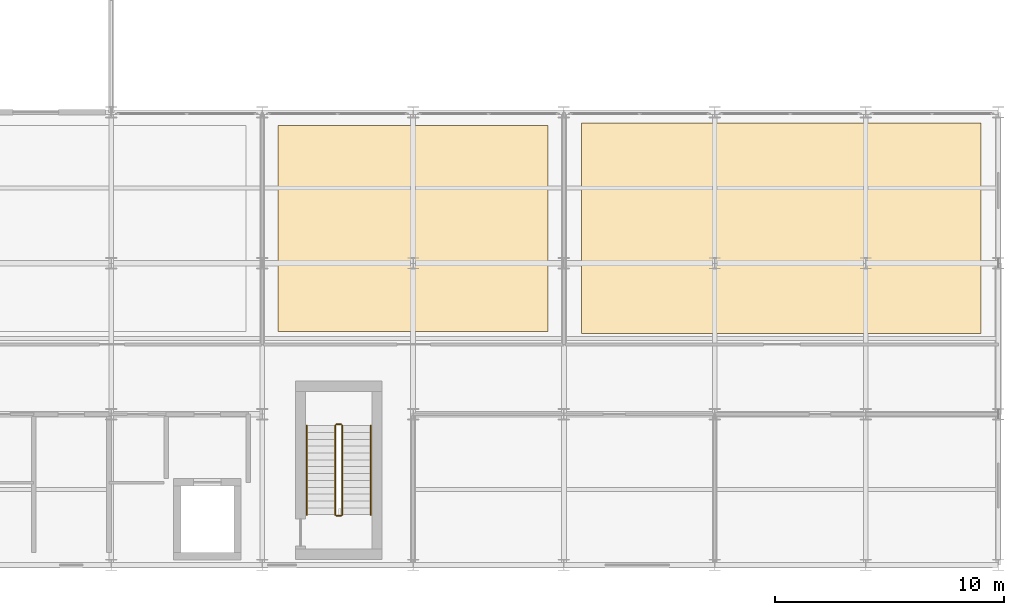
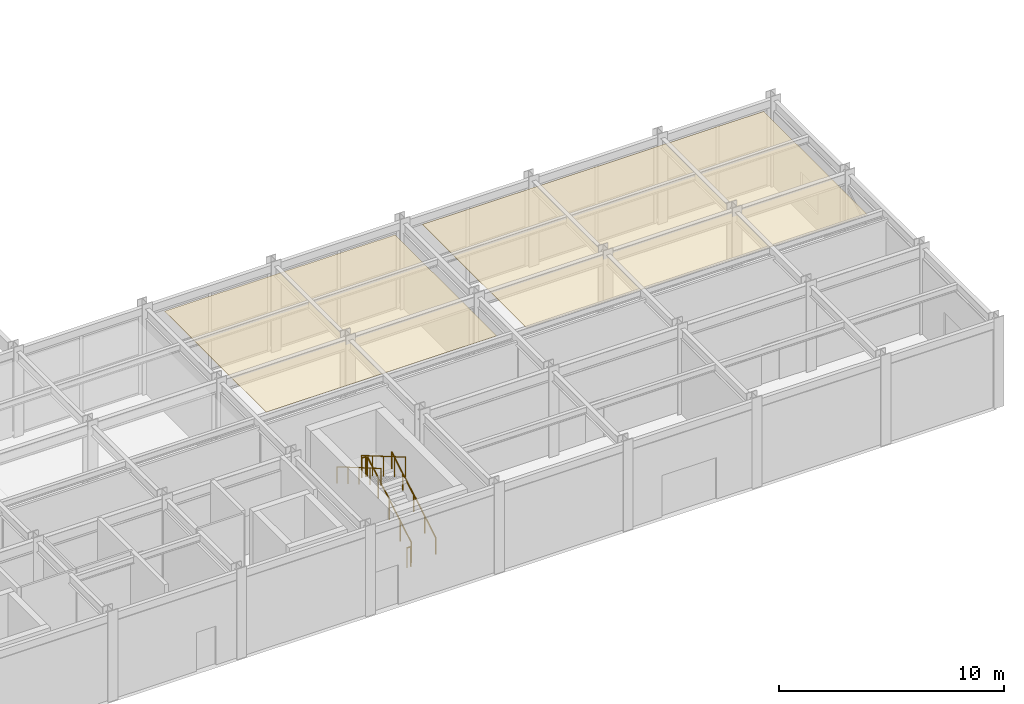
# One storey, part 143 of 144: 6 railings, 2 coverings.
"""IFC4 building model written with IfcOpenShell, lengths in metres."""

import ifcopenshell
import ifcopenshell.guid

model = None  # the IFC model being written
_history = None  # IfcOwnerHistory: only IFC2X3 demands one
_inside = {}  # id of a spatial element -> (the spatial element, [elements in it])
_under = {}  # id of a project, library or spatial element -> (it, [spatial elements below it])
_declared = {}  # id of a project -> (the project, [libraries it declares])
_typed = {}  # id of a type object -> (the type object, [elements of that type])
_made_of = {}  # id of a material, layer set ... -> (it, [elements and type objects made of it])


def new_model(schema):
    """Start an empty IFC model of exactly this schema.

    Asked for "IFC4X3", IfcOpenShell would pick the latest addendum, in which some entities
    have other attributes; the version numbers below select the first issue.
    IFC2X3 requires an IfcOwnerHistory on every rooted entity: one is made here for all.
    """
    global model, _history
    if schema == "IFC4X3":
        model = ifcopenshell.file(schema_version=(4, 3, 0, 0))
    else:
        model = ifcopenshell.file(schema=schema)
    _inside.clear()
    _under.clear()
    _declared.clear()
    _typed.clear()
    _made_of.clear()
    _history = None
    if model.schema == "IFC2X3":
        org = make("IfcOrganization", Name="unknown")
        user = make(
            "IfcPersonAndOrganization",
            ThePerson=make("IfcPerson", FamilyName="unknown"),
            TheOrganization=org,
        )
        app = make(
            "IfcApplication",
            ApplicationDeveloper=org,
            Version="unknown",
            ApplicationFullName="unknown",
            ApplicationIdentifier="unknown",
        )
        _history = make(
            "IfcOwnerHistory",
            OwningUser=user,
            OwningApplication=app,
            ChangeAction="ADDED",
            CreationDate=0,
        )
    return model


def make(cls, **values):
    """One entity of the class cls with the attributes given. An attribute that is None is left unset."""
    return model.create_entity(
        cls, **{name: value for name, value in values.items() if value is not None}
    )


def rooted(cls, **values):
    """An entity with a GlobalId (a new one), such as an element, a storey or a relation."""
    return make(cls, GlobalId=ifcopenshell.guid.new(), OwnerHistory=_history, **values)


def si_unit(unit_type, name, prefix=None):
    """IfcSIUnit, for example si_unit("LENGTHUNIT", "METRE", prefix="MILLI")."""
    return make("IfcSIUnit", UnitType=unit_type, Prefix=prefix, Name=name)


def assignment(units):
    """IfcUnitAssignment: the units of a project."""
    return None if units is None else make("IfcUnitAssignment", Units=units)


def point(xyz):
    """IfcCartesianPoint."""
    return None if xyz is None else make("IfcCartesianPoint", Coordinates=xyz)


def direction(xyz):
    """IfcDirection."""
    return None if xyz is None else make("IfcDirection", DirectionRatios=xyz)


def frame(location, z_axis=None, x_axis=None):
    """IfcAxis2Placement3D, a coordinate frame: its origin and axes. An axis left out is left unset."""
    return make(
        "IfcAxis2Placement3D",
        Location=point(location),
        Axis=direction(z_axis),
        RefDirection=direction(x_axis),
    )


def frame_2d(location, x_axis=None):
    """IfcAxis2Placement2D, a coordinate frame in the plane: its origin and x axis."""
    return make(
        "IfcAxis2Placement2D", Location=point(location), RefDirection=direction(x_axis)
    )


def origin():
    """The frame at (0, 0, 0) with its axes left unset."""
    return frame((0.0, 0.0, 0.0))


def origin_2d():
    """The frame at (0, 0) in the plane with its x axis left unset."""
    return frame_2d((0.0, 0.0))


def place(relative_to, where):
    """IfcLocalPlacement: puts the frame where relative to a parent placement (None: the world)."""
    return make(
        "IfcLocalPlacement", PlacementRelTo=relative_to, RelativePlacement=where
    )


def context(
    kind, dimensions, precision=None, world=None, true_north=None, identifier=None
):
    """IfcGeometricRepresentationContext, for example the 3D "Model" context."""
    return make(
        "IfcGeometricRepresentationContext",
        ContextIdentifier=identifier,
        ContextType=kind,
        CoordinateSpaceDimension=dimensions,
        Precision=precision,
        WorldCoordinateSystem=world,
        TrueNorth=true_north,
    )


def subcontext(parent, identifier, kind, view, scale=None):
    """IfcGeometricRepresentationSubContext, for example "Body" below "Model"."""
    return make(
        "IfcGeometricRepresentationSubContext",
        ContextIdentifier=identifier,
        ContextType=kind,
        ParentContext=parent,
        TargetScale=scale,
        TargetView=view,
    )


def project(units=None, contexts=None):
    """IfcProject with its units and contexts."""
    return rooted(
        "IfcProject",
        Name="project",
        RepresentationContexts=contexts,
        UnitsInContext=assignment(units),
    )


def spatial(cls, under=None, at=None, **own):
    """A site, building, storey or space (cls), placed at a placement, below another one or the project."""
    s = rooted(cls, ObjectPlacement=at, **own)
    if under is not None:
        _under.setdefault(under.id(), (under, []))[1].append(s)
    return s


def polyline(points):
    """IfcPolyline through the points."""
    return make("IfcPolyline", Points=[point(p) for p in points])


def profile(cls, at=None, kind="AREA", **sizes):
    """A parametric profile (cls). Its sizes go by their IFC names, for example OverallWidth=200.0."""
    return make(cls, ProfileType=kind, Position=at, **sizes)


def circle(**sizes):
    """IfcCircleProfileDef."""
    return profile("IfcCircleProfileDef", **sizes)


def outline(outer, holes=None, kind="AREA"):
    """IfcArbitraryClosedProfileDef: a profile drawn as a closed curve; with holes, ...WithVoids."""
    if holes is None:
        return make("IfcArbitraryClosedProfileDef", ProfileType=kind, OuterCurve=outer)
    return make(
        "IfcArbitraryProfileDefWithVoids",
        ProfileType=kind,
        OuterCurve=outer,
        InnerCurves=holes,
    )


def extrude(swept, where, along, depth):
    """IfcExtrudedAreaSolid: the profile swept, set in the frame where, extruded along a direction by depth."""
    return make(
        "IfcExtrudedAreaSolid",
        SweptArea=swept,
        Position=where,
        ExtrudedDirection=direction(along),
        Depth=depth,
    )


def shape(context_of_items, identifier, shape_type, items):
    """IfcShapeRepresentation: the items that make up one representation, for example the "Body"."""
    return make(
        "IfcShapeRepresentation",
        ContextOfItems=context_of_items,
        RepresentationIdentifier=identifier,
        RepresentationType=shape_type,
        Items=items,
    )


def material(Name=None, Category=None):
    """IfcMaterial."""
    return make("IfcMaterial", Name=Name, Category=Category)


def layer(
    of_material, thickness, ventilated=None, Name=None, Category=None, Priority=None
):
    """IfcMaterialLayer: one layer of a wall or slab, of a material (None: an air gap)."""
    return make(
        "IfcMaterialLayer",
        Material=of_material,
        LayerThickness=thickness,
        IsVentilated=ventilated,
        Name=Name,
        Category=Category,
        Priority=Priority,
    )


def layer_set(layers, Name=None):
    """IfcMaterialLayerSet."""
    return make("IfcMaterialLayerSet", MaterialLayers=layers, LayerSetName=Name)


def made_of(thing, what):
    """Note that an element or type object is made of a material, layer set ...; save() writes the relation."""
    if what is not None:
        _made_of.setdefault(what.id(), (what, []))[1].append(thing)
    return thing


def type_object(cls, material=None, **own):
    """A type object (cls), such as IfcWallType, which elements share."""
    return made_of(rooted(cls, **own), material)


def element(
    cls,
    number,
    at=None,
    inside=None,
    cuts=None,
    type_object=None,
    material=None,
    context=None,
    identifier="Body",
    shape_type=None,
    held_by="IfcProductDefinitionShape",
    body=None,
    shapes=None,
    **own,
):
    """One element of the class cls, such as IfcWall. Its Tag is "e" and its number.

    at: its placement. inside: the storey or other place that contains it. cuts: it is an
    opening in that element (IfcRelVoidsElement). A single representation is given by context,
    identifier, shape_type and body (its items); several are given by shapes. held_by: the class
    of the entity that holds the representations. save() writes the other relations.
    """
    e = rooted(cls, Tag="e%d" % number, ObjectPlacement=at, **own)
    if body is not None:
        shapes = [shape(context, identifier, shape_type, body)]
    if shapes is not None:
        e.Representation = make(held_by, Representations=shapes)
    if inside is not None:
        _inside.setdefault(inside.id(), (inside, []))[1].append(e)
    if cuts is not None:
        rooted(
            "IfcRelVoidsElement", RelatingBuildingElement=cuts, RelatedOpeningElement=e
        )
    if type_object is not None:
        _typed.setdefault(type_object.id(), (type_object, []))[1].append(e)
    return made_of(e, material)


def aggregate(whole, parts):
    """IfcRelAggregates: a whole, such as a stair, and the parts it consists of."""
    return rooted("IfcRelAggregates", RelatingObject=whole, RelatedObjects=parts)


def save(model, path):
    """Write the relations noted so far, then the file.

    IfcRelAggregates (storeys below a building ...), IfcRelContainedInSpatialStructure (elements
    in a storey), IfcRelDefinesByType, IfcRelAssociatesMaterial and IfcRelDeclares: one each for
    every whole, place, type object, material and project.
    """
    for whole, parts in _under.values():
        aggregate(whole, parts)
    for where, things in _inside.values():
        rooted(
            "IfcRelContainedInSpatialStructure",
            RelatedElements=things,
            RelatingStructure=where,
        )
    for kind, things in _typed.values():
        rooted("IfcRelDefinesByType", RelatedObjects=things, RelatingType=kind)
    for what, things in _made_of.values():
        rooted("IfcRelAssociatesMaterial", RelatedObjects=things, RelatingMaterial=what)
    for by, libraries in _declared.values():
        rooted("IfcRelDeclares", RelatingContext=by, RelatedDefinitions=libraries)
    model.write(path)


model = new_model("IFC4")

# Units and contexts
model_context = context("Model", 3, precision=1e-05, world=origin(), true_north=direction((0.0, 1.0)))
body_context = subcontext(model_context, "Body", "Model", "MODEL_VIEW")
ifc_project = project(units=[si_unit("LENGTHUNIT", "METRE"), si_unit("AREAUNIT", "SQUARE_METRE"), si_unit("VOLUMEUNIT", "CUBIC_METRE"), si_unit("PLANEANGLEUNIT", "RADIAN"), si_unit("MASSUNIT", "GRAM", prefix="KILO")], contexts=[model_context])

# Site, building, storey
site_placement = place(None, origin())
site = spatial("IfcSite", under=ifc_project, at=site_placement, CompositionType="ELEMENT")
building_placement = place(site_placement, origin())
building = spatial("IfcBuilding", under=site, at=building_placement, Name="Karori Crest Natural Sciences Institute", CompositionType="ELEMENT")
storey_placement = place(building_placement, origin())
storey = spatial("IfcBuildingStorey", under=building, at=storey_placement, Name="L00", CompositionType="ELEMENT", Elevation=0.0)

# Coverings
ifc_material_1 = material(Name="Acoustic mineral fibre ceiling tile")
ifc_layer = layer(ifc_material_1, 0.02490234375, Name="Acoustic mineral fibre ceiling tile")
ifc_layer_set = layer_set([ifc_layer], Name="Acoustic mineral fibre ceiling tile")
covering_type = type_object("IfcCoveringType", Name="CVT-CEIL", PredefinedType="CEILING", material=ifc_layer_set)
covering_1_placement = place(storey_placement, frame((0.0, 0.0, 4.405029296875)))
element("IfcCovering", 1, at=covering_1_placement, inside=storey, type_object=covering_type, Name="Acoustic ceiling CLG-0003", PredefinedType="CEILING", context=body_context, shape_type="SweptSolid", body=[
    extrude(outline(polyline([(130.6962890625, 20.03515625), (130.6962890625, 11.014892578125), (142.503662109375, 11.014892578125), (142.503662109375, 20.03515625), (130.6962890625, 20.03515625)])), origin(), (0.0, 0.0, 1.0), 0.02490234375),
])
covering_2_placement = place(storey_placement, frame((0.0, 0.0, 4.405029296875)))
element("IfcCovering", 2, at=covering_2_placement, inside=storey, type_object=covering_type, Name="Acoustic ceiling CLG-0004", PredefinedType="CEILING", context=body_context, shape_type="SweptSolid", body=[
    extrude(outline(polyline([(143.959228515625, 20.133544921875), (143.959228515625, 10.91650390625), (161.44091796875, 10.91650390625), (161.44091796875, 20.133544921875), (143.959228515625, 20.133544921875)])), origin(), (0.0, 0.0, 1.0), 0.02490234375),
])

# Railings
ifc_material_2 = material(Name="Stainless steel 316 tubular handrail", Category="steel")
railing_type_1 = type_object("IfcRailingType", Name="RLT-HND", PredefinedType="HANDRAIL", material=ifc_material_2)
railing_1_placement = place(storey_placement, frame((134.75, 3.0, 0.175048828125)))
element("IfcRailing", 3, at=railing_1_placement, inside=storey, type_object=railing_type_1, Name="Stair handrail RL-0170", PredefinedType="HANDRAIL", context=body_context, shape_type="SweptSolid", body=[
    extrude(circle(Radius=0.02392578125, at=origin_2d()), frame((0.0, 0.0, 0.90087890625), z_axis=(0.0, 0.86378282336, 0.503864301244), x_axis=(-1.0, 0.0, 0.0)), (0.0, 0.0, 1.0), 4.514892578125),
    extrude(circle(Radius=0.02099609375, at=origin_2d()), origin(), (0.0, 0.0, 1.0), 0.876953125),
    extrude(circle(Radius=0.02099609375, at=origin_2d()), frame((0.0, 0.97509765625, 0.56884765625)), (0.0, 0.0, 1.0), 0.876953125),
    extrude(circle(Radius=0.02099609375, at=origin_2d()), frame((0.0, 1.949951171875, 1.137451171875)), (0.0, 0.0, 1.0), 0.876953125),
    extrude(circle(Radius=0.02099609375, at=origin_2d()), frame((0.0, 2.9248046875, 1.7060546875)), (0.0, 0.0, 1.0), 0.876953125),
    extrude(circle(Radius=0.02099609375, at=origin_2d()), frame((0.0, 3.89990234375, 2.27490234375)), (0.0, 0.0, 1.0), 0.876953125),
])
railing_2_placement = place(storey_placement, frame((131.949951171875, 6.89990234375, 2.625)))
element("IfcRailing", 4, at=railing_2_placement, inside=storey, type_object=railing_type_1, Name="Stair handrail RL-0171", PredefinedType="HANDRAIL", context=body_context, shape_type="SweptSolid", body=[
    extrude(circle(Radius=0.02392578125, at=origin_2d()), frame((0.0, 0.0, 0.90087890625), z_axis=(0.0, -0.86378282336, 0.503864301244), x_axis=(1.0, 0.0, 0.0)), (0.0, 0.0, 1.0), 4.514892578125),
    extrude(circle(Radius=0.02099609375, at=origin_2d()), origin(), (0.0, 0.0, 1.0), 0.876953125),
    extrude(circle(Radius=0.02099609375, at=origin_2d()), frame((0.0, -0.97509765625, 0.56884765625)), (0.0, 0.0, 1.0), 0.876953125),
    extrude(circle(Radius=0.02099609375, at=origin_2d()), frame((0.0, -1.949951171875, 1.137451171875)), (0.0, 0.0, 1.0), 0.876953125),
    extrude(circle(Radius=0.02099609375, at=origin_2d()), frame((0.0, -2.9248046875, 1.7060546875)), (0.0, 0.0, 1.0), 0.876953125),
    extrude(circle(Radius=0.02099609375, at=origin_2d()), frame((0.0, -3.89990234375, 2.27490234375)), (0.0, 0.0, 1.0), 0.876953125),
])
ifc_material_3 = material(Name="Stainless steel 316 stair guard", Category="steel")
railing_type_2 = type_object("IfcRailingType", Name="RLT-STG", PredefinedType="GUARDRAIL", material=ifc_material_3)
railing_3_placement = place(storey_placement, frame((133.5, 3.0, 0.175048828125)))
element("IfcRailing", 5, at=railing_3_placement, inside=storey, type_object=railing_type_2, Name="Stair guard RL-0166", PredefinedType="GUARDRAIL", context=body_context, shape_type="SweptSolid", body=[
    extrude(circle(Radius=0.02392578125, at=origin_2d()), frame((0.0, 0.0, 1.076171875), z_axis=(0.0, 0.86378282336, 0.503864301244), x_axis=(-1.0, 0.0, 0.0)), (0.0, 0.0, 1.0), 4.514892578125),
    extrude(circle(Radius=0.02099609375, at=origin_2d()), origin(), (0.0, 0.0, 1.0), 1.052001953125),
    extrude(circle(Radius=0.02099609375, at=origin_2d()), frame((0.0, 0.97509765625, 0.56884765625)), (0.0, 0.0, 1.0), 1.052001953125),
    extrude(circle(Radius=0.02099609375, at=origin_2d()), frame((0.0, 1.949951171875, 1.137451171875)), (0.0, 0.0, 1.0), 1.052001953125),
    extrude(circle(Radius=0.02099609375, at=origin_2d()), frame((0.0, 2.9248046875, 1.7060546875)), (0.0, 0.0, 1.0), 1.052001953125),
    extrude(circle(Radius=0.02099609375, at=origin_2d()), frame((0.0, 3.89990234375, 2.27490234375)), (0.0, 0.0, 1.0), 1.052001953125),
])
railing_4_placement = place(storey_placement, frame((133.449951171875, 6.949951171875, 2.449951171875)))
element("IfcRailing", 6, at=railing_4_placement, inside=storey, type_object=railing_type_2, Name="Stair guard RL-0167", PredefinedType="GUARDRAIL", context=body_context, shape_type="SweptSolid", body=[
    extrude(circle(Radius=0.02392578125, at=origin_2d()), frame((0.0, 0.0, 1.076171875), z_axis=(-1.0, 0.0, 0.0), x_axis=(0.0, -1.0, 0.0)), (0.0, 0.0, 1.0), 0.199951171875),
    extrude(circle(Radius=0.02099609375, at=origin_2d()), origin(), (0.0, 0.0, 1.0), 1.052001953125),
    extrude(circle(Radius=0.02099609375, at=origin_2d()), frame((-0.199951171875, 0.0, 0.0)), (0.0, 0.0, 1.0), 1.052001953125),
])
railing_5_placement = place(storey_placement, frame((133.199951171875, 6.89990234375, 2.625)))
element("IfcRailing", 7, at=railing_5_placement, inside=storey, type_object=railing_type_2, Name="Stair guard RL-0168", PredefinedType="GUARDRAIL", context=body_context, shape_type="SweptSolid", body=[
    extrude(circle(Radius=0.02392578125, at=origin_2d()), frame((0.0, 0.0, 1.076171875), z_axis=(0.0, -0.86378282336, 0.503864301244), x_axis=(1.0, 0.0, 0.0)), (0.0, 0.0, 1.0), 4.514892578125),
    extrude(circle(Radius=0.02099609375, at=origin_2d()), origin(), (0.0, 0.0, 1.0), 1.052001953125),
    extrude(circle(Radius=0.02099609375, at=origin_2d()), frame((0.0, -0.97509765625, 0.56884765625)), (0.0, 0.0, 1.0), 1.052001953125),
    extrude(circle(Radius=0.02099609375, at=origin_2d()), frame((0.0, -1.949951171875, 1.137451171875)), (0.0, 0.0, 1.0), 1.052001953125),
    extrude(circle(Radius=0.02099609375, at=origin_2d()), frame((0.0, -2.9248046875, 1.7060546875)), (0.0, 0.0, 1.0), 1.052001953125),
    extrude(circle(Radius=0.02099609375, at=origin_2d()), frame((0.0, -3.89990234375, 2.27490234375)), (0.0, 0.0, 1.0), 1.052001953125),
])
railing_6_placement = place(storey_placement, frame((133.449951171875, 2.949951171875, 0.0)))
element("IfcRailing", 8, at=railing_6_placement, inside=storey, type_object=railing_type_2, Name="Stair guard RL-0169", PredefinedType="GUARDRAIL", context=body_context, shape_type="SweptSolid", body=[
    extrude(circle(Radius=0.02392578125, at=origin_2d()), frame((0.0, 0.0, 1.076171875), z_axis=(-1.0, 0.0, 0.0), x_axis=(0.0, -1.0, 0.0)), (0.0, 0.0, 1.0), 0.199951171875),
    extrude(circle(Radius=0.02099609375, at=origin_2d()), origin(), (0.0, 0.0, 1.0), 1.052001953125),
    extrude(circle(Radius=0.02099609375, at=origin_2d()), frame((-0.199951171875, 0.0, 0.0)), (0.0, 0.0, 1.0), 1.052001953125),
])

save(model, "model.ifc")
